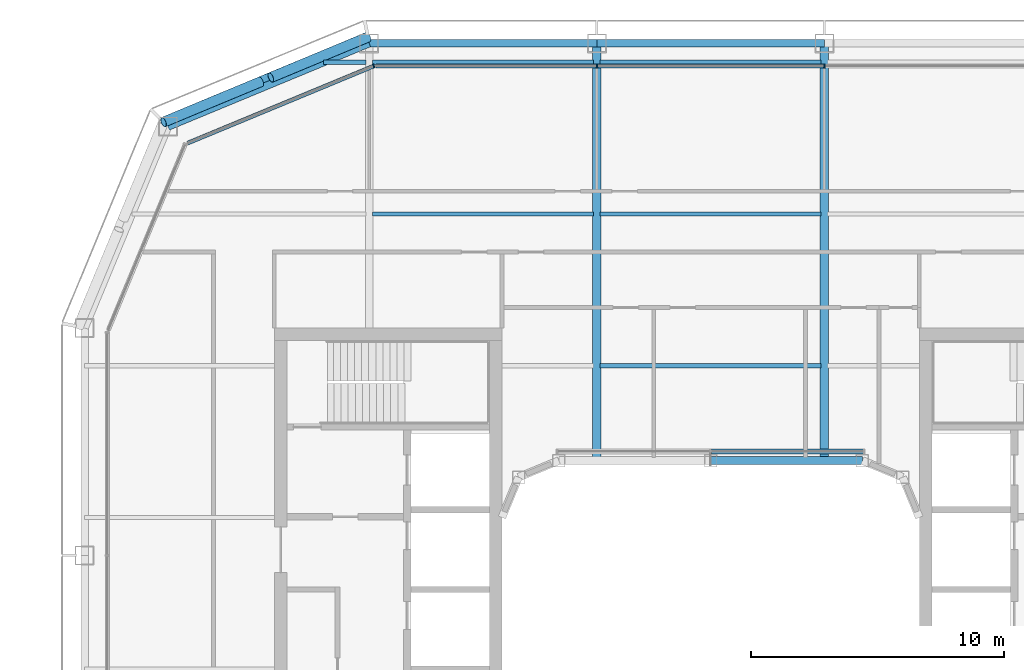
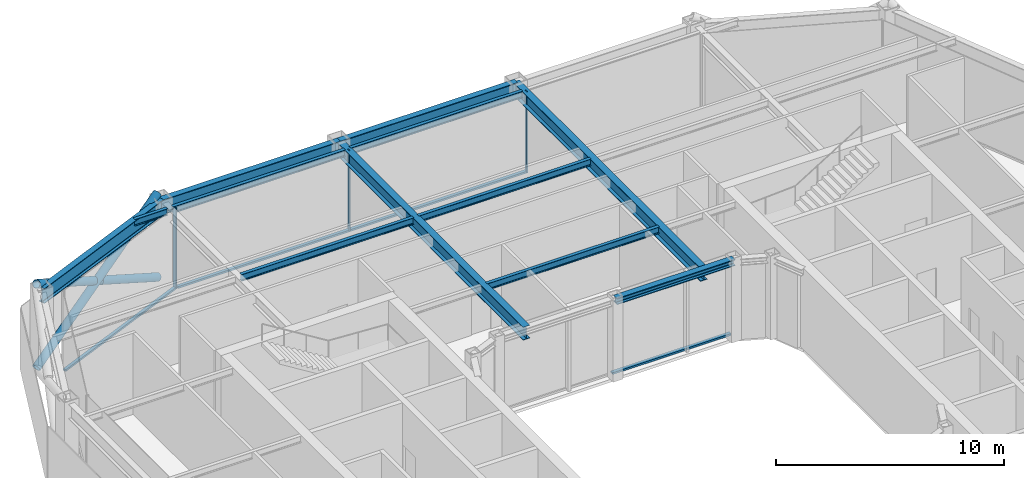
# One storey, part 7 of 20: 12 beams, 10 members, 3 elements without a shape of their own.
"""IFC4 building model written with IfcOpenShell, lengths in metres."""

from ifc_helpers import new_model, si_unit, direction, frame, origin, origin_2d, place, context, subcontext, project, spatial, rectangle, hollow_circle, i_section, extrude, material, layer, layer_set, material_profile, profile_set, type_object, element, aggregate, save


model = new_model("IFC4")

# Units and contexts
model_context = context("Model", 3, precision=1e-05, world=origin(), true_north=direction((0.0, 1.0)))
body_context = subcontext(model_context, "Body", "Model", "MODEL_VIEW")
ifc_project = project(units=[si_unit("LENGTHUNIT", "METRE"), si_unit("AREAUNIT", "SQUARE_METRE"), si_unit("VOLUMEUNIT", "CUBIC_METRE"), si_unit("PLANEANGLEUNIT", "RADIAN"), si_unit("MASSUNIT", "GRAM", prefix="KILO")], contexts=[model_context])

# Site, building, storey
site_placement = place(None, origin())
site = spatial("IfcSite", under=ifc_project, at=site_placement, CompositionType="ELEMENT")
building_placement = place(site_placement, origin())
building = spatial("IfcBuilding", under=site, at=building_placement, Name="Siwar Civic Tower", CompositionType="ELEMENT")
storey_placement = place(building_placement, frame((0.0, 0.0, 316.699951171875)))
storey = spatial("IfcBuildingStorey", under=building, at=storey_placement, Name="L68", CompositionType="ELEMENT", Elevation=316.699951171875)

# Curtain wall, members
ifc_material_1 = material(Name="Aluminium and glass", Category="aluminium")
ifc_layer_1 = layer(ifc_material_1, 0.159912109375)
ifc_layer_set_1 = layer_set([ifc_layer_1], Name="Aluminium and glass")
curtain_wall_type_1 = type_object("IfcCurtainWallType", Name="ENV-CW-D", PredefinedType="NOTDEFINED", material=ifc_layer_set_1)
curtain_wall_1_placement = place(storey_placement, origin())
curtain_wall_1 = element("IfcCurtainWall", 1, at=curtain_wall_1_placement, inside=storey, type_object=curtain_wall_type_1, Name="Curtain wall D N", PredefinedType="NOTDEFINED")
ifc_material_2 = material(Name="Aluminium 6063-T6", Category="aluminium")
ifc_material_profile_1 = material_profile(ifc_material_2, rectangle(XDim=0.159912109375, YDim=0.06005859375, at=origin_2d()), Name="AL 160x60")
ifc_profile_set_1 = profile_set([ifc_material_profile_1], Name="Aluminium 6063-T6")
member_type_1 = type_object("IfcMemberType", Name="ENV-MULLION-D", PredefinedType="MULLION", material=ifc_profile_set_1)
member_1_placement = place(storey_placement, frame((4.5, 23.85009765625, 0.0), z_axis=(0.0, 0.0, 1.0), x_axis=(0.0, -1.0, 0.0)))
member_1 = element("IfcMember", 2, at=member_1_placement, type_object=member_type_1, Name="Mullion D N 2", PredefinedType="MULLION", context=body_context, shape_type="SweptSolid", body=[
    extrude(rectangle(XDim=0.159912109375, YDim=0.06005859375, at=origin_2d()), origin(), (0.0, 0.0, 1.0), 4.35009765625),
])
member_2_placement = place(storey_placement, frame((-4.5, 23.85009765625, 0.0), z_axis=(0.0, 0.0, 1.0), x_axis=(0.0, -1.0, 0.0)))
member_2 = element("IfcMember", 3, at=member_2_placement, type_object=member_type_1, Name="Mullion D N 3", PredefinedType="MULLION", context=body_context, shape_type="SweptSolid", body=[
    extrude(rectangle(XDim=0.159912109375, YDim=0.06005859375, at=origin_2d()), origin(), (0.0, 0.0, 1.0), 4.35009765625),
])

# Curtain wall, member
ifc_material_3 = material(Name="Aluminium clad insulated panel", Category="aluminium")
ifc_layer_2 = layer(ifc_material_3, 0.159912109375)
ifc_layer_set_2 = layer_set([ifc_layer_2], Name="Aluminium clad insulated panel")
curtain_wall_type_2 = type_object("IfcCurtainWallType", Name="ENV-CW-DX", PredefinedType="NOTDEFINED", material=ifc_layer_set_2)
curtain_wall_2_placement = place(storey_placement, origin())
curtain_wall_2 = element("IfcCurtainWall", 4, at=curtain_wall_2_placement, inside=storey, type_object=curtain_wall_type_2, Name="Curtain wall D NW1", PredefinedType="NOTDEFINED")
member_3_placement = place(storey_placement, frame((-13.321044921875, 23.85009765625, 0.0), z_axis=(0.0, 0.0, 1.0), x_axis=(0.382683432365, -0.923879532511, 0.0)))
member_3 = element("IfcMember", 5, at=member_3_placement, type_object=member_type_1, Name="Mullion D NW1 1", PredefinedType="MULLION", context=body_context, shape_type="SweptSolid", body=[
    extrude(rectangle(XDim=0.159912109375, YDim=0.06005859375, at=origin_2d()), origin(), (0.0, 0.0, 1.0), 4.35009765625),
])

# Member
ifc_material_4 = material(Name="Aluminium 6063-T6", Category="aluminium")
ifc_material_profile_2 = material_profile(ifc_material_4, rectangle(XDim=0.159912109375, YDim=0.10009765625, at=origin_2d()), Name="AL 160x100")
ifc_profile_set_2 = profile_set([ifc_material_profile_2], Name="Aluminium 6063-T6")
member_type_2 = type_object("IfcMemberType", Name="ENV-TRANSOM-D", PredefinedType="USERDEFINED", material=ifc_profile_set_2)
member_4_placement = place(storey_placement, frame((4.469970703125, 23.85009765625, 0.050048828125), z_axis=(-1.0, 0.0, 0.0), x_axis=(0.0, -1.0, 0.0)))
member_4 = element("IfcMember", 6, at=member_4_placement, type_object=member_type_2, Name="Transom D N 2", ObjectType="TRANSOM", PredefinedType="USERDEFINED", context=body_context, shape_type="SweptSolid", body=[
    extrude(rectangle(XDim=0.159912109375, YDim=0.10009765625, at=origin_2d()), origin(), (0.0, 0.0, 1.0), 8.93994140625),
])

member_5_placement = place(storey_placement, frame((-4.530029296875, 23.85009765625, 0.050048828125), z_axis=(-1.0, 0.0, 0.0), x_axis=(0.0, -1.0, 0.0)))
member_5 = element("IfcMember", 7, at=member_5_placement, type_object=member_type_2, Name="Transom D N 3", ObjectType="TRANSOM", PredefinedType="USERDEFINED", context=body_context, shape_type="SweptSolid", body=[
    extrude(rectangle(XDim=0.159912109375, YDim=0.10009765625, at=origin_2d()), origin(), (0.0, 0.0, 1.0), 8.693115234375),
])

aggregate(curtain_wall_1, [member_1, member_2, member_4, member_5])

member_6_placement = place(storey_placement, frame((-13.3486328125, 23.838623046875, 0.050048828125), z_axis=(-0.923872756612, -0.382699790424, 0.0), x_axis=(0.382699790424, -0.923872756612, 0.0)))
member_6 = element("IfcMember", 8, at=member_6_placement, type_object=member_type_2, Name="Transom D NW1 1", ObjectType="TRANSOM", PredefinedType="USERDEFINED", context=body_context, shape_type="SweptSolid", body=[
    extrude(rectangle(XDim=0.159912109375, YDim=0.10009765625, at=origin_2d()), origin(), (0.0, 0.0, 1.0), 7.930908203125),
])

aggregate(curtain_wall_2, [member_3, member_6])

# Curtain wall, member
ifc_material_5 = material(Name="Aluminium and glass", Category="aluminium")
ifc_layer_3 = layer(ifc_material_5, 0.179931640625)
ifc_layer_set_3 = layer_set([ifc_layer_3], Name="Aluminium and glass")
curtain_wall_type_3 = type_object("IfcCurtainWallType", Name="ENV-CW-W", PredefinedType="NOTDEFINED", material=ifc_layer_set_3)
curtain_wall_3_placement = place(storey_placement, origin())
curtain_wall_3 = element("IfcCurtainWall", 9, at=curtain_wall_3_placement, inside=storey, type_object=curtain_wall_type_3, Name="Curtain wall W WN", PredefinedType="NOTDEFINED")
ifc_material_6 = material(Name="Aluminium 6063-T6", Category="aluminium")
ifc_material_profile_3 = material_profile(ifc_material_6, rectangle(XDim=0.179931640625, YDim=0.10009765625, at=origin_2d()), Name="AL 180x100")
ifc_profile_set_3 = profile_set([ifc_material_profile_3], Name="Aluminium 6063-T6")
member_type_3 = type_object("IfcMemberType", Name="ENV-TRANSOM-W", PredefinedType="USERDEFINED", material=ifc_profile_set_3)
member_7_placement = place(storey_placement, frame((6.04150390625, 8.610107421875, 0.050048828125), z_axis=(-1.0, 0.0, 0.0), x_axis=(0.0, -1.0, 0.0)))
member_7 = element("IfcMember", 10, at=member_7_placement, type_object=member_type_3, Name="Transom W WN 1", ObjectType="TRANSOM", PredefinedType="USERDEFINED", context=body_context, shape_type="SweptSolid", body=[
    extrude(rectangle(XDim=0.179931640625, YDim=0.10009765625, at=origin_2d()), origin(), (0.0, 0.0, 1.0), 6.011474609375),
])
aggregate(curtain_wall_3, [member_7])

# Members
ifc_material_7 = material(Name="Steel S355", Category="steel")
ifc_material_profile_4 = material_profile(ifc_material_7, hollow_circle(Radius=0.203125, WallThickness=0.01611328125, at=origin_2d()), Name="CHS406.4x16")
ifc_profile_set_4 = profile_set([ifc_material_profile_4], Name="Steel S355")
member_type_4 = type_object("IfcMemberType", Name="STR-BR-CHS406.4x16", PredefinedType="BRACE", material=ifc_profile_set_4)
member_8_placement = place(storey_placement, frame((-21.6318359375, 21.6318359375, 0.0), z_axis=(0.821142553604, 0.341671493852, 0.457149315816), x_axis=(-0.384163874976, 0.923264922524, 0.0)))
element("IfcMember", 11, at=member_8_placement, inside=storey, type_object=member_type_4, Name="L68/brc/DNW1-7-0-0", PredefinedType="BRACE", context=body_context, shape_type="SweptSolid", body=[
    extrude(hollow_circle(Radius=0.203125, WallThickness=0.01611328125, at=origin_2d()), origin(), (0.0, 0.0, 1.0), 9.843505859375),
])
for number, where, z_axis, x_axis, name in (
    (12, (-13.548828125, 24.9951171875, 0.0), (-0.821130093572, -0.341659024948, 0.45718101459), (0.384156893273, -0.923267827529, 0.0), "L68/brc/DNW1-7-0-4"),
    (13, (-17.791259765625, 23.229736328125, 2.362060546875), (-0.821166691915, -0.341652533125, 0.457120127208), (0.38413607648, -0.923276488787, 0.0), "L68/brc/DNW1-7-0-5"),
):
    element("IfcMember", number, at=place(storey_placement, frame(where, z_axis=z_axis, x_axis=x_axis)), inside=storey, type_object=member_type_4, Name=name, PredefinedType="BRACE", context=body_context, shape_type="SweptSolid", body=[
        extrude(hollow_circle(Radius=0.203125, WallThickness=0.01611328125, at=origin_2d()), origin(), (0.0, 0.0, 1.0), 4.677001953125),
    ])

# Beams
ifc_material_8 = material(Name="Steel S355", Category="steel")
ifc_material_profile_5 = material_profile(ifc_material_8, i_section(OverallWidth=0.169921875, OverallDepth=0.360107421875, WebThickness=0.008056640625, FlangeThickness=0.0126953125, FilletRadius=0.01806640625, at=origin_2d()), Name="IPE360")
ifc_profile_set_5 = profile_set([ifc_material_profile_5], Name="Steel S355")
beam_type_1 = type_object("IfcBeamType", Name="STR-FB-IPE360", PredefinedType="JOIST", material=ifc_profile_set_5)
for number, where, z_axis, x_axis, name in (
    (14, (-4.3701171875, 12.0, 4.170166015625), (1.0, 0.0, 0.0), (0.0, 1.0, 0.0), "L68/bm/F024"),
    (15, (-13.3701171875, 18.0, 4.170166015625), (1.0, 0.0, 0.0), (0.0, 1.0, 0.0), "L68/bm/F028"),
    (16, (-4.3701171875, 18.0, 4.170166015625), (1.0, 0.0, 0.0), (0.0, 1.0, 0.0), "L68/bm/F029"),
):
    element("IfcBeam", number, at=place(storey_placement, frame(where, z_axis=z_axis, x_axis=x_axis)), inside=storey, type_object=beam_type_1, Name=name, PredefinedType="JOIST", context=body_context, shape_type="SweptSolid", body=[
        extrude(i_section(OverallWidth=0.169921875, OverallDepth=0.360107421875, WebThickness=0.008056640625, FlangeThickness=0.0126953125, FilletRadius=0.01806640625, at=origin_2d()), origin(), (0.0, 0.0, 1.0), 8.740234375),
    ])
beam_1_placement = place(storey_placement, frame((-15.310546875, 24.0, 4.170166015625), z_axis=(1.0, 0.0, 0.0), x_axis=(0.0, 1.0, 0.0)))
element("IfcBeam", 17, at=beam_1_placement, inside=storey, type_object=beam_type_1, Name="L68/bm/F032", PredefinedType="JOIST", context=body_context, shape_type="SweptSolid", body=[
    extrude(i_section(OverallWidth=0.169921875, OverallDepth=0.360107421875, WebThickness=0.008056640625, FlangeThickness=0.0126953125, FilletRadius=0.01806640625, at=origin_2d()), origin(), (0.0, 0.0, 1.0), 1.6806640625),
])
for number, where, z_axis, x_axis, name in (
    (18, (-13.3701171875, 24.0, 4.170166015625), (1.0, 0.0, 0.0), (0.0, 1.0, 0.0), "L68/bm/F033"),
    (19, (-4.3701171875, 24.0, 4.170166015625), (1.0, 0.0, 0.0), (0.0, 1.0, 0.0), "L68/bm/F034"),
):
    element("IfcBeam", number, at=place(storey_placement, frame(where, z_axis=z_axis, x_axis=x_axis)), inside=storey, type_object=beam_type_1, Name=name, PredefinedType="JOIST", context=body_context, shape_type="SweptSolid", body=[
        extrude(i_section(OverallWidth=0.169921875, OverallDepth=0.360107421875, WebThickness=0.008056640625, FlangeThickness=0.0126953125, FilletRadius=0.01806640625, at=origin_2d()), origin(), (0.0, 0.0, 1.0), 8.740234375),
    ])
ifc_material_9 = material(Name="Steel S355", Category="steel")
ifc_material_profile_6 = material_profile(ifc_material_9, i_section(OverallWidth=0.340087890625, OverallDepth=0.699951171875, WebThickness=0.013916015625, FlangeThickness=0.030029296875, at=origin_2d()), Name="PG700x340x14x30")
ifc_profile_set_6 = profile_set([ifc_material_profile_6], Name="Steel S355")
beam_type_2 = type_object("IfcBeamType", Name="STR-PG-PG700x340x14x30", PredefinedType="BEAM", material=ifc_profile_set_6)
for number, where, z_axis, x_axis, name in (
    (20, (-4.5, 8.25, 4.0), (0.0, 1.0, 0.0), (-1.0, 0.0, 0.0), "L68/bm/G04"),
    (21, (4.5, 8.25, 4.0), (0.0, 1.0, 0.0), (-1.0, 0.0, 0.0), "L68/bm/G06"),
):
    element("IfcBeam", number, at=place(storey_placement, frame(where, z_axis=z_axis, x_axis=x_axis)), inside=storey, type_object=beam_type_2, Name=name, PredefinedType="BEAM", context=body_context, shape_type="SweptSolid", body=[
        extrude(i_section(OverallWidth=0.340087890625, OverallDepth=0.699951171875, WebThickness=0.013916015625, FlangeThickness=0.030029296875, at=origin_2d()), origin(), (0.0, 0.0, 1.0), 16.5),
    ])
ifc_material_10 = material(Name="Steel S355", Category="steel")
ifc_material_profile_7 = material_profile(ifc_material_10, i_section(OverallWidth=0.31005859375, OverallDepth=0.340087890625, WebThickness=0.02099609375, FlangeThickness=0.0390625, FilletRadius=0.027099609375, at=origin_2d()), Name="HEM300")
ifc_profile_set_7 = profile_set([ifc_material_profile_7], Name="Steel S355")
beam_type_3 = type_object("IfcBeamType", Name="STR-RB-HEM300", PredefinedType="BEAM", material=ifc_profile_set_7)
beam_2_placement = place(storey_placement, frame((0.0, 8.25, 4.179931640625), z_axis=(1.0, 0.0, 0.0), x_axis=(0.0, 1.0, 0.0)))
element("IfcBeam", 22, at=beam_2_placement, inside=storey, type_object=beam_type_3, Name="L68/bm/RN2", PredefinedType="BEAM", context=body_context, shape_type="SweptSolid", body=[
    extrude(i_section(OverallWidth=0.31005859375, OverallDepth=0.340087890625, WebThickness=0.02099609375, FlangeThickness=0.0390625, FilletRadius=0.027099609375, at=origin_2d()), origin(), (0.0, 0.0, 1.0), 6.0),
])
ifc_material_11 = material(Name="Steel S355", Category="steel")
ifc_material_profile_8 = material_profile(ifc_material_11, i_section(OverallWidth=0.300048828125, OverallDepth=0.800048828125, WebThickness=0.017578125, FlangeThickness=0.032958984375, FilletRadius=0.030029296875, at=origin_2d()), Name="HEB800")
ifc_profile_set_8 = profile_set([ifc_material_profile_8], Name="Steel S355")
beam_type_4 = type_object("IfcBeamType", Name="STR-SB-HEB800", PredefinedType="BEAM", material=ifc_profile_set_8)
for number, where, z_axis, x_axis, name in (
    (23, (4.5, 24.75, 3.949951171875), (-1.0, 0.0, 0.0), (0.0, -1.0, 0.0), "L68/bm/SN-1"),
    (24, (-4.5, 24.75, 3.949951171875), (-1.0, 0.0, 0.0), (0.0, -1.0, 0.0), "L68/bm/SN-2"),
):
    element("IfcBeam", number, at=place(storey_placement, frame(where, z_axis=z_axis, x_axis=x_axis)), inside=storey, type_object=beam_type_4, Name=name, PredefinedType="BEAM", context=body_context, shape_type="SweptSolid", body=[
        extrude(i_section(OverallWidth=0.300048828125, OverallDepth=0.800048828125, WebThickness=0.017578125, FlangeThickness=0.032958984375, FilletRadius=0.030029296875, at=origin_2d()), origin(), (0.0, 0.0, 1.0), 9.0),
    ])
beam_3_placement = place(storey_placement, frame((-13.5, 24.75, 3.949951171875), z_axis=(-0.923872720536, -0.382699877515, 0.0), x_axis=(0.382699877515, -0.923872720536, 0.0)))
element("IfcBeam", 25, at=beam_3_placement, inside=storey, type_object=beam_type_4, Name="L68/bm/SNW1-0", PredefinedType="BEAM", context=body_context, shape_type="SweptSolid", body=[
    extrude(i_section(OverallWidth=0.300048828125, OverallDepth=0.800048828125, WebThickness=0.017578125, FlangeThickness=0.032958984375, FilletRadius=0.030029296875, at=origin_2d()), origin(), (0.0, 0.0, 1.0), 8.6103515625),
])

save(model, "model.ifc")
